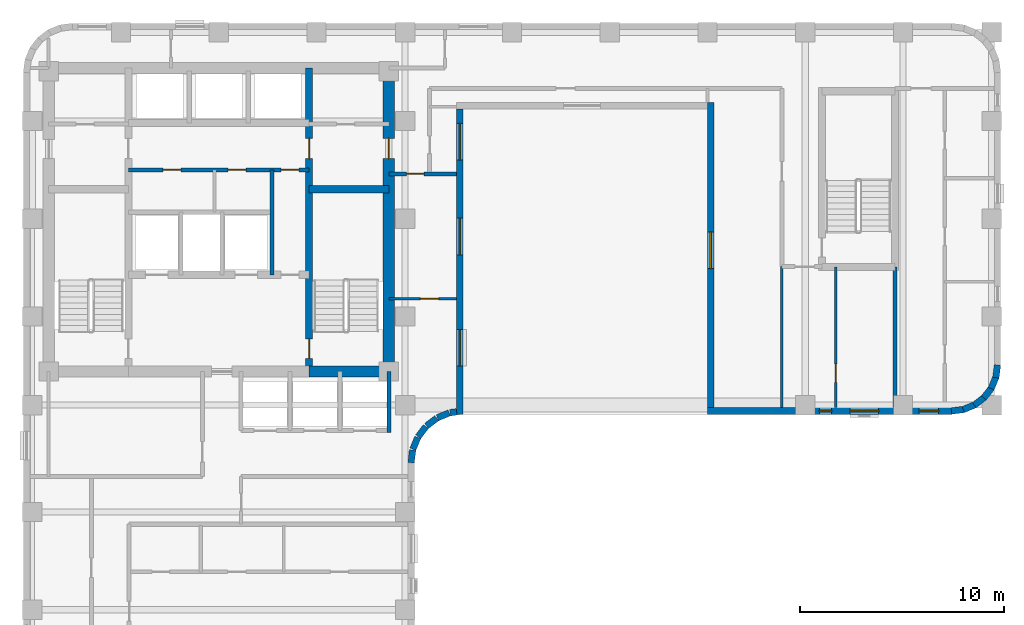
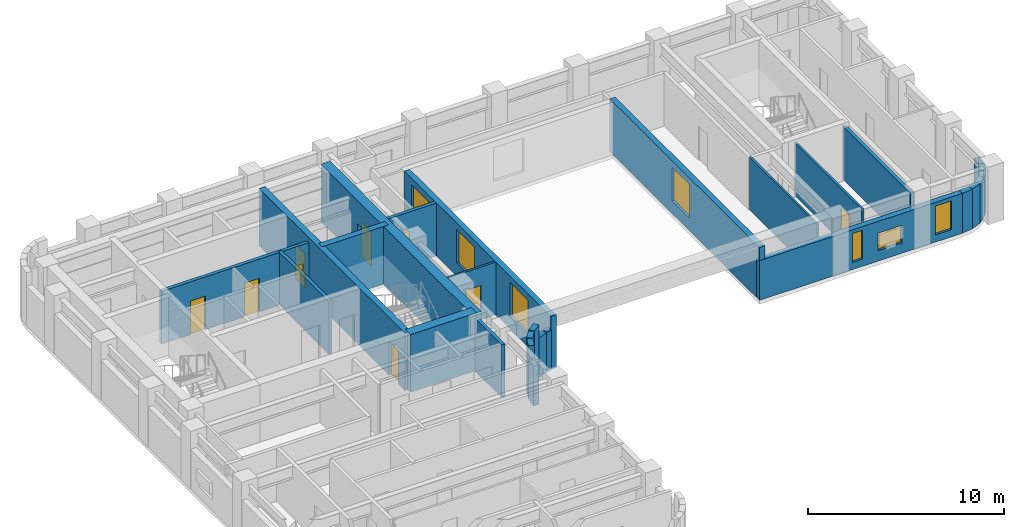
# One storey, part 4 of 9: 27 walls, 9 doors, 7 windows, 16 openings.
"""IFC4 building model written with IfcOpenShell, lengths in metres."""

from ifc_helpers import new_model, si_unit, direction, frame, frame_2d, origin, place, context, subcontext, project, spatial, rectangle, extrude, material, layer, layer_set, type_object, element, fill, save


model = new_model("IFC4")

# Units and contexts
model_context = context("Model", 3, precision=1e-05, world=origin(), true_north=direction((0.0, 1.0)))
body_context = subcontext(model_context, "Body", "Model", "MODEL_VIEW")
ifc_project = project(units=[si_unit("LENGTHUNIT", "METRE"), si_unit("AREAUNIT", "SQUARE_METRE"), si_unit("VOLUMEUNIT", "CUBIC_METRE"), si_unit("PLANEANGLEUNIT", "RADIAN"), si_unit("MASSUNIT", "GRAM", prefix="KILO")], contexts=[model_context])

# Site, building, storey
site_placement = place(None, origin())
site = spatial("IfcSite", under=ifc_project, at=site_placement, CompositionType="ELEMENT")
building_placement = place(site_placement, origin())
building = spatial("IfcBuilding", under=site, at=building_placement, Name="Orvandelia Arch Residences", CompositionType="ELEMENT")
storey_placement = place(building_placement, frame((0.0, 0.0, 190.0)))
storey = spatial("IfcBuildingStorey", under=building, at=storey_placement, Name="L50", CompositionType="ELEMENT", Elevation=190.0)

# Wall, openings, doors
ifc_material_1 = material(Name="Concrete C50/60", Category="concrete")
ifc_layer_1 = layer(ifc_material_1, 0.35009765625, Name="Concrete C50/60", Category="concrete")
ifc_layer_set_1 = layer_set([ifc_layer_1], Name="Concrete C50/60")
wall_type_1 = type_object("IfcWallType", Name="WL-CORE-350", PredefinedType="SHEAR", material=ifc_layer_set_1)
wall_1_placement = place(storey_placement, frame((18.840087890625, 30.89990234375, 0.0), z_axis=(0.0, 0.0, 1.0), x_axis=(0.0, 1.0, 0.0)))
wall_1 = element("IfcWall", 1, at=wall_1_placement, inside=storey, type_object=wall_type_1, Name="Core Shear Wall L50-WEB2", PredefinedType="SHEAR", context=body_context, shape_type="SweptSolid", body=[
    extrude(rectangle(XDim=14.900146484375, YDim=0.35009765625, at=frame_2d((7.4501953125, 0.0))), origin(), (0.0, 0.0, 1.0), 3.60009765625),
])
opening_1_placement = place(wall_1_placement, frame((0.64990234375, 0.0, 0.0)))
opening_1 = element("IfcOpeningElement", 2, at=opening_1_placement, cuts=wall_1, Name="Opening D7", PredefinedType="OPENING", context=body_context, shape_type="SweptSolid", body=[
    extrude(rectangle(XDim=0.949951171875, YDim=2.10009765625, at=frame_2d((0.47509765625, 1.050048828125))), frame((0.0, 0.18505859375, 0.0), z_axis=(0.0, -1.0, 0.0), x_axis=(1.0, 0.0, 0.0)), (0.0, 0.0, 1.0), 0.3701171875),
])
opening_2_placement = place(wall_1_placement, frame((10.449951171875, 0.0, 0.0)))
opening_2 = element("IfcOpeningElement", 3, at=opening_2_placement, cuts=wall_1, Name="Opening D6", PredefinedType="OPENING", context=body_context, shape_type="SweptSolid", body=[
    extrude(rectangle(XDim=1.0, YDim=2.14990234375, at=frame_2d((0.5, 1.074951171875))), frame((0.0, 0.18505859375, 0.0), z_axis=(0.0, -1.0, 0.0), x_axis=(1.0, 0.0, 0.0)), (0.0, 0.0, 1.0), 0.3701171875),
])
ifc_material_2 = material(Name="Smokeproof Painted Steel Fire Door", Category="steel")
door_type_1 = type_object("IfcDoorType", Name="DR-FD60-1000", OperationType="NOTDEFINED", PredefinedType="DOOR", material=ifc_material_2)
door_1_placement = place(opening_2_placement, origin())
door_1 = element("IfcDoor", 4, at=door_1_placement, inside=storey, type_object=door_type_1, Name="High-Rise Lift Hall East Vestibule Door L50", OperationType="SINGLE_SWING_RIGHT", OverallHeight=2.14990234375, OverallWidth=1.0, PredefinedType="DOOR", context=body_context, shape_type="SweptSolid", body=[
    extrude(rectangle(XDim=1.0, YDim=2.14990234375, at=frame_2d((0.5, 1.074951171875))), frame((0.0, 0.02490234375, 0.0), z_axis=(0.0, -1.0, 0.0), x_axis=(1.0, 0.0, 0.0)), (0.0, 0.0, 1.0), 0.050048828125),
])
fill(opening_2, door_1)
ifc_material_3 = material(Name="Pressurised Stairwell Fire Door")
door_type_2 = type_object("IfcDoorType", Name="DR-STAIR-950", OperationType="NOTDEFINED", PredefinedType="DOOR", material=ifc_material_3)
door_2_placement = place(opening_1_placement, origin())
door_2 = element("IfcDoor", 5, at=door_2_placement, inside=storey, type_object=door_type_2, Name="Stairwell ST-2 Fire Door L50", OperationType="SINGLE_SWING_RIGHT", OverallHeight=2.10009765625, OverallWidth=0.949951171875, PredefinedType="DOOR", context=body_context, shape_type="SweptSolid", body=[
    extrude(rectangle(XDim=0.949951171875, YDim=2.10009765625, at=frame_2d((0.47509765625, 1.050048828125))), frame((0.0, 0.02490234375, 0.0), z_axis=(0.0, -1.0, 0.0), x_axis=(1.0, 0.0, 0.0)), (0.0, 0.0, 1.0), 0.050048828125),
])
fill(opening_1, door_2)

# Wall
wall_2_placement = place(storey_placement, frame((18.840087890625, 39.85009765625, 0.0), z_axis=(0.0, 0.0, 1.0), x_axis=(1.0, 0.0, 0.0)))
element("IfcWall", 6, at=wall_2_placement, inside=storey, type_object=wall_type_1, Name="Core Shear Wall L50-HZ2", PredefinedType="SHEAR", context=body_context, shape_type="SweptSolid", body=[
    extrude(rectangle(XDim=3.909912109375, YDim=0.35009765625, at=frame_2d((1.955078125, 0.0))), origin(), (0.0, 0.0, 1.0), 3.60009765625),
])

# Wall, opening, door
ifc_material_4 = material(Name="Concrete C60/75", Category="concrete")
ifc_layer_2 = layer(ifc_material_4, 0.550048828125, Name="Concrete C60/75", Category="concrete")
ifc_layer_set_2 = layer_set([ifc_layer_2], Name="Concrete C60/75")
wall_type_2 = type_object("IfcWallType", Name="WL-CORE-550", PredefinedType="SHEAR", material=ifc_layer_set_2)
wall_3_placement = place(storey_placement, frame((22.75, 30.625, 0.0), z_axis=(0.0, 0.0, 1.0), x_axis=(0.0, 1.0, 0.0)))
wall_3 = element("IfcWall", 7, at=wall_3_placement, inside=storey, type_object=wall_type_2, Name="Core Shear Wall L50-E", PredefinedType="SHEAR", context=body_context, shape_type="SweptSolid", body=[
    extrude(rectangle(XDim=15.449951171875, YDim=0.550048828125, at=frame_2d((7.72509765625, 0.0))), origin(), (0.0, 0.0, 1.0), 3.60009765625),
])
opening_3_placement = place(wall_3_placement, frame((10.72509765625, 0.0, 0.0)))
opening_3 = element("IfcOpeningElement", 8, at=opening_3_placement, cuts=wall_3, Name="Opening D6", PredefinedType="OPENING", context=body_context, shape_type="SweptSolid", body=[
    extrude(rectangle(XDim=1.0, YDim=2.14990234375, at=frame_2d((0.5, 1.074951171875))), frame((0.0, 0.28515625, 0.0), z_axis=(0.0, -1.0, 0.0), x_axis=(1.0, 0.0, 0.0)), (0.0, 0.0, 1.0), 0.570068359375),
])
door_3_placement = place(opening_3_placement, origin())
door_3 = element("IfcDoor", 9, at=door_3_placement, inside=storey, type_object=door_type_1, Name="Core East Corridor Link Door L50", OperationType="SINGLE_SWING_LEFT", OverallHeight=2.14990234375, OverallWidth=1.0, PredefinedType="DOOR", context=body_context, shape_type="SweptSolid", body=[
    extrude(rectangle(XDim=1.0, YDim=2.14990234375, at=frame_2d((0.5, 1.074951171875))), frame((0.0, 0.02490234375, 0.0), z_axis=(0.0, -1.0, 0.0), x_axis=(1.0, 0.0, 0.0)), (0.0, 0.0, 1.0), 0.050048828125),
])
fill(opening_3, door_3)

# Wall
wall_4_placement = place(storey_placement, frame((18.840087890625, 30.89990234375, 0.0), z_axis=(0.0, 0.0, 1.0), x_axis=(1.0, 0.0, 0.0)))
element("IfcWall", 10, at=wall_4_placement, inside=storey, type_object=wall_type_2, Name="Core Shear Wall L50-SE", PredefinedType="SHEAR", context=body_context, shape_type="SweptSolid", body=[
    extrude(rectangle(XDim=3.909912109375, YDim=0.550048828125, at=frame_2d((1.955078125, 0.0))), origin(), (0.0, 0.0, 1.0), 3.60009765625),
])

# Wall, opening, door
ifc_material_5 = material(Name="Fire-Rated Corridor Partition")
ifc_layer_3 = layer(ifc_material_5, 0.199951171875, Name="Fire-Rated Corridor Partition")
ifc_layer_set_3 = layer_set([ifc_layer_3], Name="Fire-Rated Corridor Partition")
wall_type_3 = type_object("IfcWallType", Name="WL-CORR-200", PredefinedType="PARTITIONING", material=ifc_layer_set_3)
wall_5_placement = place(storey_placement, frame((22.75, 40.60009765625, 0.0), z_axis=(0.0, 0.0, 1.0), x_axis=(1.0, 0.0, 0.0)))
wall_5 = element("IfcWall", 11, at=wall_5_placement, inside=storey, type_object=wall_type_3, Name="Interior Partition Wall WL-L50-ENP-LS", PredefinedType="PARTITIONING", context=body_context, shape_type="SweptSolid", body=[
    extrude(rectangle(XDim=3.330078125, YDim=0.199951171875, at=frame_2d((1.6650390625, 0.0))), origin(), (0.0, 0.0, 1.0), 3.300048828125),
])
opening_4_placement = place(wall_5_placement, frame((0.8798828125, 0.0, 0.0)))
opening_4 = element("IfcOpeningElement", 12, at=opening_4_placement, cuts=wall_5, Name="Opening D4", PredefinedType="OPENING", context=body_context, shape_type="SweptSolid", body=[
    extrude(rectangle(XDim=0.860107421875, YDim=2.10009765625, at=frame_2d((0.43017578125, 1.050048828125))), frame((0.0, 0.10986328125, 0.0), z_axis=(0.0, -1.0, 0.0), x_axis=(1.0, 0.0, 0.0)), (0.0, 0.0, 1.0), 0.219970703125),
])
ifc_material_6 = material(Name="Moisture-Sealed Timber Bathroom Door", Category="wood")
door_type_3 = type_object("IfcDoorType", Name="DR-WET-900", OperationType="NOTDEFINED", PredefinedType="DOOR", material=ifc_material_6)
door_4_placement = place(opening_4_placement, origin())
door_4 = element("IfcDoor", 13, at=door_4_placement, inside=storey, type_object=door_type_3, Name="DR-L50-VPWL2", OperationType="SINGLE_SWING_RIGHT", OverallHeight=2.10009765625, OverallWidth=0.860107421875, PredefinedType="DOOR", context=body_context, shape_type="SweptSolid", body=[
    extrude(rectangle(XDim=0.860107421875, YDim=2.10009765625, at=frame_2d((0.43017578125, 1.050048828125))), frame((0.0, 0.02490234375, 0.0), z_axis=(0.0, -1.0, 0.0), x_axis=(1.0, 0.0, 0.0)), (0.0, 0.0, 1.0), 0.050048828125),
])
fill(opening_4, door_4)

# Walls
ifc_material_7 = material(Name="Concrete C40/50", Category="concrete")
ifc_layer_4 = layer(ifc_material_7, 0.199951171875, Name="Concrete C40/50", Category="concrete")
ifc_layer_set_4 = layer_set([ifc_layer_4], Name="Concrete C40/50")
wall_type_4 = type_object("IfcWallType", Name="WL-DEM-200", PredefinedType="SOLIDWALL", material=ifc_layer_set_4)
wall_6_placement = place(storey_placement, frame((47.60009765625, 29.1201171875, 0.0), z_axis=(0.0, 0.0, 1.0), x_axis=(0.0, 1.0, 0.0)))
element("IfcWall", 14, at=wall_6_placement, inside=storey, type_object=wall_type_4, Name="Interior Partition Wall WL-L50-VPS3-E", PredefinedType="SOLIDWALL", context=body_context, shape_type="SweptSolid", body=[
    extrude(rectangle(XDim=6.919921875, YDim=0.199951171875, at=frame_2d((3.4599609375, 0.0))), origin(), (0.0, 0.0, 1.0), 3.300048828125),
])
ifc_material_8 = material(Name="Precast concrete C40/50", Category="concrete")
ifc_layer_5 = layer(ifc_material_8, 0.320068359375, Name="Precast concrete C40/50", Category="concrete")
ifc_layer_set_5 = layer_set([ifc_layer_5], Name="Precast concrete C40/50")
wall_type_5 = type_object("IfcWallType", Name="WL-EXT-STONE-320", PredefinedType="STANDARD", material=ifc_layer_set_5)
wall_7_placement = place(storey_placement, frame((52.641357421875, 31.220947265625, 0.0), z_axis=(0.0, 0.0, 1.0), x_axis=(-0.130504898859, -0.991447664465, 0.0)))
element("IfcWall", 15, at=wall_7_placement, inside=storey, type_object=wall_type_5, Name="Coral-Limestone Precast Facade Wall L50-015", PredefinedType="STANDARD", context=body_context, shape_type="SweptSolid", body=[
    extrude(rectangle(XDim=0.626708984375, YDim=0.320068359375, at=frame_2d((0.3134765625, 0.0))), origin(), (0.0, 0.0, 1.0), 2.47998046875),
])
wall_8_placement = place(storey_placement, frame((52.5703125, 30.639892578125, 0.0), z_axis=(0.0, 0.0, 1.0), x_axis=(-0.382455093999, -0.923974080304, 0.0)))
element("IfcWall", 16, at=wall_8_placement, inside=storey, type_object=wall_type_5, Name="Coral-Limestone Precast Facade Wall L50-016", PredefinedType="STANDARD", context=body_context, shape_type="SweptSolid", body=[
    extrude(rectangle(XDim=0.626220703125, YDim=0.320068359375, at=frame_2d((0.31298828125, 0.0))), origin(), (0.0, 0.0, 1.0), 2.47998046875),
])
wall_9_placement = place(storey_placement, frame((52.3515625, 30.097412109375, 0.0), z_axis=(0.0, 0.0, 1.0), x_axis=(-0.608693302629, -0.793405610854, 0.0)))
element("IfcWall", 17, at=wall_9_placement, inside=storey, type_object=wall_type_5, Name="Coral-Limestone Precast Facade Wall L50-017", PredefinedType="STANDARD", context=body_context, shape_type="SweptSolid", body=[
    extrude(rectangle(XDim=0.62646484375, YDim=0.320068359375, at=frame_2d((0.313232421875, 0.0))), origin(), (0.0, 0.0, 1.0), 2.47998046875),
])
wall_10_placement = place(storey_placement, frame((51.999755859375, 29.6298828125, 0.0), z_axis=(0.0, 0.0, 1.0), x_axis=(-0.7932174212, -0.608938521285, 0.0)))
element("IfcWall", 18, at=wall_10_placement, inside=storey, type_object=wall_type_5, Name="Coral-Limestone Precast Facade Wall L50-018", PredefinedType="STANDARD", context=body_context, shape_type="SweptSolid", body=[
    extrude(rectangle(XDim=0.626708984375, YDim=0.320068359375, at=frame_2d((0.3134765625, 0.0))), origin(), (0.0, 0.0, 1.0), 2.47998046875),
])
for number, where, z_axis, x_axis, name in (
    (19, (51.538818359375, 29.269287109375, 0.0), (0.0, 0.0, 1.0), (-0.92389335771, -0.382650053678, 0.0), "Coral-Limestone Precast Facade Wall L50-019"),
    (20, (51.000244140625, 29.040283203125, 0.0), (0.0, 0.0, 1.0), (-0.9914410257, -0.130555323746, 0.0), "Coral-Limestone Precast Facade Wall L50-020"),
):
    element("IfcWall", number, at=place(storey_placement, frame(where, z_axis=z_axis, x_axis=x_axis)), inside=storey, type_object=wall_type_5, Name=name, PredefinedType="STANDARD", context=body_context, shape_type="SweptSolid", body=[
        extrude(rectangle(XDim=0.62646484375, YDim=0.320068359375, at=frame_2d((0.313232421875, 0.0))), origin(), (0.0, 0.0, 1.0), 2.47998046875),
    ])

# Wall, openings, windows
wall_11_placement = place(storey_placement, frame((50.39990234375, 28.9599609375, 0.0), z_axis=(0.0, 0.0, 1.0), x_axis=(-1.0, 0.0, 0.0)))
wall_11 = element("IfcWall", 21, at=wall_11_placement, inside=storey, type_object=wall_type_5, Name="Coral-Limestone Precast Facade Wall L50-021", PredefinedType="STANDARD", context=body_context, shape_type="SweptSolid", body=[
    extrude(rectangle(XDim=12.0, YDim=0.320068359375, at=frame_2d((6.0, 0.0))), origin(), (0.0, 0.0, 1.0), 2.47998046875),
])
opening_5_placement = place(wall_11_placement, frame((0.656005859375, 0.0, 0.449951171875)))
opening_5 = element("IfcOpeningElement", 22, at=opening_5_placement, cuts=wall_11, Name="Opening W4", PredefinedType="OPENING", context=body_context, shape_type="SweptSolid", body=[
    extrude(rectangle(XDim=0.949951171875, YDim=1.800048828125, at=frame_2d((0.47509765625, 0.89990234375))), frame((0.0, 0.169921875, 0.0), z_axis=(0.0, -1.0, 0.0), x_axis=(1.0, 0.0, 0.0)), (0.0, 0.0, 1.0), 0.340087890625),
])
opening_6_placement = place(wall_11_placement, frame((5.902587890625, 0.0, 0.449951171875)))
opening_6 = element("IfcOpeningElement", 23, at=opening_6_placement, cuts=wall_11, Name="Opening W12", PredefinedType="OPENING", context=body_context, shape_type="SweptSolid", body=[
    extrude(rectangle(XDim=0.60009765625, YDim=1.800048828125, at=frame_2d((0.300048828125, 0.89990234375))), frame((0.0, 0.169921875, 0.0), z_axis=(0.0, -1.0, 0.0), x_axis=(1.0, 0.0, 0.0)), (0.0, 0.0, 1.0), 0.340087890625),
])
opening_7_placement = place(wall_11_placement, frame((3.597412109375, 0.0, 0.64990234375)))
opening_7 = element("IfcOpeningElement", 24, at=opening_7_placement, cuts=wall_11, Name="Opening W10", PredefinedType="OPENING", context=body_context, shape_type="SweptSolid", body=[
    extrude(rectangle(XDim=1.39990234375, YDim=1.10009765625, at=frame_2d((0.699951171875, 0.550048828125))), frame((0.0, 0.169921875, 0.0), z_axis=(0.0, -1.0, 0.0), x_axis=(1.0, 0.0, 0.0)), (0.0, 0.0, 1.0), 0.340087890625),
])
ifc_material_9 = material(Name="Tempered Low-E Insulated Glazing", Category="glass")
window_type_1 = type_object("IfcWindowType", Name="WIN-CLR-1400x1100", PartitioningType="SINGLE_PANEL", PredefinedType="WINDOW", material=ifc_material_9)
window_1_placement = place(opening_7_placement, origin())
window_1 = element("IfcWindow", 25, at=window_1_placement, inside=storey, type_object=window_type_1, Name="Recessed Punched Window L50-009", OverallHeight=1.10009765625, OverallWidth=1.39990234375, PartitioningType="SINGLE_PANEL", PredefinedType="WINDOW", context=body_context, shape_type="SweptSolid", body=[
    extrude(rectangle(XDim=1.39990234375, YDim=1.10009765625, at=frame_2d((0.699951171875, 0.550048828125))), frame((0.0, 0.030029296875, 0.0), z_axis=(0.0, -1.0, 0.0), x_axis=(1.0, 0.0, 0.0)), (0.0, 0.0, 1.0), 0.06005859375),
])
fill(opening_7, window_1)
window_type_2 = type_object("IfcWindowType", Name="WIN-LAN-0600x1800", PartitioningType="SINGLE_PANEL", PredefinedType="WINDOW", material=ifc_material_9)
window_2_placement = place(opening_6_placement, origin())
window_2 = element("IfcWindow", 26, at=window_2_placement, inside=storey, type_object=window_type_2, Name="Recessed Punched Window L50-008", OverallHeight=1.800048828125, OverallWidth=0.60009765625, PartitioningType="SINGLE_PANEL", PredefinedType="WINDOW", context=body_context, shape_type="SweptSolid", body=[
    extrude(rectangle(XDim=0.60009765625, YDim=1.800048828125, at=frame_2d((0.300048828125, 0.89990234375))), frame((0.0, 0.030029296875, 0.0), z_axis=(0.0, -1.0, 0.0), x_axis=(1.0, 0.0, 0.0)), (0.0, 0.0, 1.0), 0.06005859375),
])
fill(opening_6, window_2)
window_type_3 = type_object("IfcWindowType", Name="WIN-RES-0950x1800", PartitioningType="SINGLE_PANEL", PredefinedType="WINDOW", material=ifc_material_9)
window_3_placement = place(opening_5_placement, origin())
window_3 = element("IfcWindow", 27, at=window_3_placement, inside=storey, type_object=window_type_3, Name="Recessed Punched Window L50-007", OverallHeight=1.800048828125, OverallWidth=0.949951171875, PartitioningType="SINGLE_PANEL", PredefinedType="WINDOW", context=body_context, shape_type="SweptSolid", body=[
    extrude(rectangle(XDim=0.949951171875, YDim=1.800048828125, at=frame_2d((0.47509765625, 0.89990234375))), frame((0.0, 0.030029296875, 0.0), z_axis=(0.0, -1.0, 0.0), x_axis=(1.0, 0.0, 0.0)), (0.0, 0.0, 1.0), 0.06005859375),
])
fill(opening_5, window_3)

# Wall, opening, window
wall_12_placement = place(storey_placement, frame((38.56005859375, 28.800048828125, 0.0), z_axis=(0.0, 0.0, 1.0), x_axis=(0.0, 1.0, 0.0)))
wall_12 = element("IfcWall", 28, at=wall_12_placement, inside=storey, type_object=wall_type_5, Name="Coral-Limestone Precast Facade Wall L50-022", PredefinedType="STANDARD", context=body_context, shape_type="SweptSolid", body=[
    extrude(rectangle(XDim=15.320068359375, YDim=0.320068359375, at=frame_2d((7.66015625, 0.0))), origin(), (0.0, 0.0, 1.0), 3.300048828125),
])
opening_8_placement = place(wall_12_placement, frame((7.14990234375, 0.0, 0.800048828125)))
opening_8 = element("IfcOpeningElement", 29, at=opening_8_placement, cuts=wall_12, Name="Opening W1", PredefinedType="OPENING", context=body_context, shape_type="SweptSolid", body=[
    extrude(rectangle(XDim=1.800048828125, YDim=2.10009765625, at=frame_2d((0.89990234375, 1.050048828125))), frame((0.0, 0.169921875, 0.0), z_axis=(0.0, -1.0, 0.0), x_axis=(1.0, 0.0, 0.0)), (0.0, 0.0, 1.0), 0.340087890625),
])
window_type_4 = type_object("IfcWindowType", Name="WIN-RES-1800x2100", PartitioningType="SINGLE_PANEL", PredefinedType="WINDOW", material=ifc_material_9)
window_4_placement = place(opening_8_placement, origin())
window_4 = element("IfcWindow", 30, at=window_4_placement, inside=storey, type_object=window_type_4, Name="Recessed Punched Window L50-010", OverallHeight=2.10009765625, OverallWidth=1.800048828125, PartitioningType="SINGLE_PANEL", PredefinedType="WINDOW", context=body_context, shape_type="SweptSolid", body=[
    extrude(rectangle(XDim=1.800048828125, YDim=2.10009765625, at=frame_2d((0.89990234375, 1.050048828125))), frame((0.0, 0.030029296875, 0.0), z_axis=(0.0, -1.0, 0.0), x_axis=(1.0, 0.0, 0.0)), (0.0, 0.0, 1.0), 0.06005859375),
])
fill(opening_8, window_4)

# Wall, openings, windows
wall_13_placement = place(storey_placement, frame((26.239990234375, 43.800048828125, 0.0), z_axis=(0.0, 0.0, 1.0), x_axis=(0.0, -1.0, 0.0)))
wall_13 = element("IfcWall", 31, at=wall_13_placement, inside=storey, type_object=wall_type_5, Name="Coral-Limestone Precast Facade Wall L50-024", PredefinedType="STANDARD", context=body_context, shape_type="SweptSolid", body=[
    extrude(rectangle(XDim=15.0, YDim=0.320068359375, at=frame_2d((7.5, 0.0))), origin(), (0.0, 0.0, 1.0), 3.300048828125),
])
opening_9_placement = place(wall_13_placement, frame((10.840087890625, 0.0, 0.800048828125)))
opening_9 = element("IfcOpeningElement", 32, at=opening_9_placement, cuts=wall_13, Name="Opening W1", PredefinedType="OPENING", context=body_context, shape_type="SweptSolid", body=[
    extrude(rectangle(XDim=1.800048828125, YDim=2.10009765625, at=frame_2d((0.89990234375, 1.050048828125))), frame((0.0, 0.169921875, 0.0), z_axis=(0.0, -1.0, 0.0), x_axis=(1.0, 0.0, 0.0)), (0.0, 0.0, 1.0), 0.340087890625),
])
opening_10_placement = place(wall_13_placement, frame((5.3701171875, 0.0, 0.800048828125)))
opening_10 = element("IfcOpeningElement", 33, at=opening_10_placement, cuts=wall_13, Name="Opening W1", PredefinedType="OPENING", context=body_context, shape_type="SweptSolid", body=[
    extrude(rectangle(XDim=1.800048828125, YDim=2.10009765625, at=frame_2d((0.89990234375, 1.050048828125))), frame((0.0, 0.169921875, 0.0), z_axis=(0.0, -1.0, 0.0), x_axis=(1.0, 0.0, 0.0)), (0.0, 0.0, 1.0), 0.340087890625),
])
opening_11_placement = place(wall_13_placement, frame((0.719970703125, 0.0, 0.800048828125)))
opening_11 = element("IfcOpeningElement", 34, at=opening_11_placement, cuts=wall_13, Name="Opening W1", PredefinedType="OPENING", context=body_context, shape_type="SweptSolid", body=[
    extrude(rectangle(XDim=1.800048828125, YDim=2.10009765625, at=frame_2d((0.89990234375, 1.050048828125))), frame((0.0, 0.169921875, 0.0), z_axis=(0.0, -1.0, 0.0), x_axis=(1.0, 0.0, 0.0)), (0.0, 0.0, 1.0), 0.340087890625),
])
window_5_placement = place(opening_9_placement, origin())
window_5 = element("IfcWindow", 35, at=window_5_placement, inside=storey, type_object=window_type_4, Name="Recessed Punched Window L50-012", OverallHeight=2.10009765625, OverallWidth=1.800048828125, PartitioningType="SINGLE_PANEL", PredefinedType="WINDOW", context=body_context, shape_type="SweptSolid", body=[
    extrude(rectangle(XDim=1.800048828125, YDim=2.10009765625, at=frame_2d((0.89990234375, 1.050048828125))), frame((0.0, 0.030029296875, 0.0), z_axis=(0.0, -1.0, 0.0), x_axis=(1.0, 0.0, 0.0)), (0.0, 0.0, 1.0), 0.06005859375),
])
fill(opening_9, window_5)
window_6_placement = place(opening_10_placement, origin())
window_6 = element("IfcWindow", 36, at=window_6_placement, inside=storey, type_object=window_type_4, Name="Recessed Punched Window L50-013", OverallHeight=2.10009765625, OverallWidth=1.800048828125, PartitioningType="SINGLE_PANEL", PredefinedType="WINDOW", context=body_context, shape_type="SweptSolid", body=[
    extrude(rectangle(XDim=1.800048828125, YDim=2.10009765625, at=frame_2d((0.89990234375, 1.050048828125))), frame((0.0, 0.030029296875, 0.0), z_axis=(0.0, -1.0, 0.0), x_axis=(1.0, 0.0, 0.0)), (0.0, 0.0, 1.0), 0.06005859375),
])
fill(opening_10, window_6)
window_7_placement = place(opening_11_placement, origin())
window_7 = element("IfcWindow", 37, at=window_7_placement, inside=storey, type_object=window_type_4, Name="Recessed Punched Window L50-014", OverallHeight=2.10009765625, OverallWidth=1.800048828125, PartitioningType="SINGLE_PANEL", PredefinedType="WINDOW", context=body_context, shape_type="SweptSolid", body=[
    extrude(rectangle(XDim=1.800048828125, YDim=2.10009765625, at=frame_2d((0.89990234375, 1.050048828125))), frame((0.0, 0.030029296875, 0.0), z_axis=(0.0, -1.0, 0.0), x_axis=(1.0, 0.0, 0.0)), (0.0, 0.0, 1.0), 0.06005859375),
])
fill(opening_11, window_7)

# Walls
wall_14_placement = place(storey_placement, frame((26.081787109375, 28.91943359375, 0.0), z_axis=(0.0, 0.0, 1.0), x_axis=(-0.991512688813, -0.130009953168, 0.0)))
element("IfcWall", 38, at=wall_14_placement, inside=storey, type_object=wall_type_5, Name="Coral-Limestone Precast Facade Wall L50-025", PredefinedType="STANDARD", context=body_context, shape_type="SweptSolid", body=[
    extrude(rectangle(XDim=0.32666015625, YDim=0.320068359375, at=frame_2d((0.163330078125, 0.0))), origin(), (0.0, 0.0, 1.0), 2.47998046875),
])
wall_15_placement = place(storey_placement, frame((25.717529296875, 28.865966796875, 0.0), z_axis=(0.0, 0.0, 1.0), x_axis=(-0.923836271867, -0.382787856107, 0.0)))
element("IfcWall", 39, at=wall_15_placement, inside=storey, type_object=wall_type_5, Name="Coral-Limestone Precast Facade Wall L50-026", PredefinedType="STANDARD", context=body_context, shape_type="SweptSolid", body=[
    extrude(rectangle(XDim=0.626220703125, YDim=0.320068359375, at=frame_2d((0.31298828125, 0.0))), origin(), (0.0, 0.0, 1.0), 2.47998046875),
])
for number, where, z_axis, x_axis, name in (
    (40, (25.1025390625, 28.60546875, 0.0), (0.0, 0.0, 1.0), (-0.793405610854, -0.608693302629, 0.0), "Coral-Limestone Precast Facade Wall L50-027"),
    (41, (24.575927734375, 28.194580078125, 0.0), (0.0, 0.0, 1.0), (-0.608693302629, -0.793405610854, 0.0), "Coral-Limestone Precast Facade Wall L50-028"),
):
    element("IfcWall", number, at=place(storey_placement, frame(where, z_axis=z_axis, x_axis=x_axis)), inside=storey, type_object=wall_type_5, Name=name, PredefinedType="STANDARD", context=body_context, shape_type="SweptSolid", body=[
        extrude(rectangle(XDim=0.62646484375, YDim=0.320068359375, at=frame_2d((0.313232421875, 0.0))), origin(), (0.0, 0.0, 1.0), 3.300048828125),
    ])
wall_16_placement = place(storey_placement, frame((24.173583984375, 27.6611328125, 0.0), z_axis=(0.0, 0.0, 1.0), x_axis=(-0.382455093999, -0.923974080304, 0.0)))
element("IfcWall", 42, at=wall_16_placement, inside=storey, type_object=wall_type_5, Name="Coral-Limestone Precast Facade Wall L50-029", PredefinedType="STANDARD", context=body_context, shape_type="SweptSolid", body=[
    extrude(rectangle(XDim=0.626220703125, YDim=0.320068359375, at=frame_2d((0.31298828125, 0.0))), origin(), (0.0, 0.0, 1.0), 3.300048828125),
])
wall_17_placement = place(storey_placement, frame((23.923095703125, 27.0419921875, 0.0), z_axis=(0.0, 0.0, 1.0), x_axis=(-0.130555323746, -0.9914410257, 0.0)))
element("IfcWall", 43, at=wall_17_placement, inside=storey, type_object=wall_type_5, Name="Coral-Limestone Precast Facade Wall L50-030", PredefinedType="STANDARD", context=body_context, shape_type="SweptSolid", body=[
    extrude(rectangle(XDim=0.62646484375, YDim=0.320068359375, at=frame_2d((0.313232421875, 0.0))), origin(), (0.0, 0.0, 1.0), 2.47998046875),
])

# Wall, opening, door
ifc_material_10 = material(Name="Lightweight Gypsum Stud Partition")
ifc_layer_6 = layer(ifc_material_10, 0.1201171875, Name="Lightweight Gypsum Stud Partition")
ifc_layer_set_6 = layer_set([ifc_layer_6], Name="Lightweight Gypsum Stud Partition")
wall_type_6 = type_object("IfcWallType", Name="WL-PART-120", PredefinedType="PARTITIONING", material=ifc_layer_set_6)
wall_18_placement = place(storey_placement, frame((22.75, 34.47998046875, 0.0), z_axis=(0.0, 0.0, 1.0), x_axis=(1.0, 0.0, 0.0)))
wall_18 = element("IfcWall", 44, at=wall_18_placement, inside=storey, type_object=wall_type_6, Name="Interior Partition Wall WL-L50-VPW-M", PredefinedType="PARTITIONING", context=body_context, shape_type="SweptSolid", body=[
    extrude(rectangle(XDim=3.330078125, YDim=0.1201171875, at=frame_2d((1.6650390625, 0.0))), origin(), (0.0, 0.0, 1.0), 3.300048828125),
])
opening_12_placement = place(wall_18_placement, frame((1.550048828125, 0.0, 0.0)))
opening_12 = element("IfcOpeningElement", 45, at=opening_12_placement, cuts=wall_18, Name="Opening D3", PredefinedType="OPENING", context=body_context, shape_type="SweptSolid", body=[
    extrude(rectangle(XDim=0.89990234375, YDim=2.14990234375, at=frame_2d((0.449951171875, 1.074951171875))), frame((0.0, 0.070068359375, 0.0), z_axis=(0.0, -1.0, 0.0), x_axis=(1.0, 0.0, 0.0)), (0.0, 0.0, 1.0), 0.14013671875),
])
ifc_material_11 = material(Name="Engineered Timber Flush Door", Category="wood")
door_type_4 = type_object("IfcDoorType", Name="DR-INT-900", OperationType="NOTDEFINED", PredefinedType="DOOR", material=ifc_material_11)
door_5_placement = place(opening_12_placement, origin())
door_5 = element("IfcDoor", 46, at=door_5_placement, inside=storey, type_object=door_type_4, Name="DR-L50-VPWL1", OperationType="SINGLE_SWING_LEFT", OverallHeight=2.14990234375, OverallWidth=0.89990234375, PredefinedType="DOOR", context=body_context, shape_type="SweptSolid", body=[
    extrude(rectangle(XDim=0.89990234375, YDim=2.14990234375, at=frame_2d((0.449951171875, 1.074951171875))), frame((0.0, 0.02490234375, 0.0), z_axis=(0.0, -1.0, 0.0), x_axis=(1.0, 0.0, 0.0)), (0.0, 0.0, 1.0), 0.050048828125),
])
fill(opening_12, door_5)

wall_19_placement = place(storey_placement, frame((44.699951171875, 29.1201171875, 0.0), z_axis=(0.0, 0.0, 1.0), x_axis=(0.0, 1.0, 0.0)))
wall_19 = element("IfcWall", 47, at=wall_19_placement, inside=storey, type_object=wall_type_6, Name="Interior Partition Wall WL-L50-VPS3-M", PredefinedType="PARTITIONING", context=body_context, shape_type="SweptSolid", body=[
    extrude(rectangle(XDim=6.919921875, YDim=0.1201171875, at=frame_2d((3.4599609375, 0.0))), origin(), (0.0, 0.0, 1.0), 3.300048828125),
])
opening_13_placement = place(wall_19_placement, frame((1.239990234375, 0.0, 0.0)))
opening_13 = element("IfcOpeningElement", 48, at=opening_13_placement, cuts=wall_19, Name="Opening D3", PredefinedType="OPENING", context=body_context, shape_type="SweptSolid", body=[
    extrude(rectangle(XDim=0.89990234375, YDim=2.14990234375, at=frame_2d((0.449951171875, 1.074951171875))), frame((0.0, 0.070068359375, 0.0), z_axis=(0.0, -1.0, 0.0), x_axis=(1.0, 0.0, 0.0)), (0.0, 0.0, 1.0), 0.14013671875),
])
door_6_placement = place(opening_13_placement, origin())
door_6 = element("IfcDoor", 49, at=door_6_placement, inside=storey, type_object=door_type_4, Name="DR-L50-VPS3B", OperationType="SINGLE_SWING_RIGHT", OverallHeight=2.14990234375, OverallWidth=0.89990234375, PredefinedType="DOOR", context=body_context, shape_type="SweptSolid", body=[
    extrude(rectangle(XDim=0.89990234375, YDim=2.14990234375, at=frame_2d((0.449951171875, 1.074951171875))), frame((0.0, 0.02490234375, 0.0), z_axis=(0.0, -1.0, 0.0), x_axis=(1.0, 0.0, 0.0)), (0.0, 0.0, 1.0), 0.050048828125),
])
fill(opening_13, door_6)

# Walls
wall_20_placement = place(storey_placement, frame((42.050048828125, 29.1201171875, 0.0), z_axis=(0.0, 0.0, 1.0), x_axis=(0.0, 1.0, 0.0)))
element("IfcWall", 50, at=wall_20_placement, inside=storey, type_object=wall_type_6, Name="Interior Partition Wall WL-L50-VPS3-W", PredefinedType="PARTITIONING", context=body_context, shape_type="SweptSolid", body=[
    extrude(rectangle(XDim=6.929931640625, YDim=0.1201171875, at=frame_2d((3.46484375, 0.0))), origin(), (0.0, 0.0, 1.0), 3.300048828125),
])
ifc_material_12 = material(Name="Fire-Rated Shaft Enclosure Wall")
ifc_layer_7 = layer(ifc_material_12, 0.199951171875, Name="Fire-Rated Shaft Enclosure Wall")
ifc_layer_set_7 = layer_set([ifc_layer_7], Name="Fire-Rated Shaft Enclosure Wall")
wall_type_7 = type_object("IfcWallType", Name="WL-SHAFT-200", PredefinedType="POLYGONAL", material=ifc_layer_set_7)
wall_21_placement = place(storey_placement, frame((17.02001953125, 35.64990234375, 0.0), z_axis=(0.0, 0.0, 1.0), x_axis=(0.0, 1.0, 0.0)))
element("IfcWall", 51, at=wall_21_placement, inside=storey, type_object=wall_type_7, Name="Interior Partition Wall WL-L50-FLM3", PredefinedType="POLYGONAL", context=body_context, shape_type="SweptSolid", body=[
    extrude(rectangle(XDim=5.150146484375, YDim=0.199951171875, at=frame_2d((2.5751953125, 0.0))), origin(), (0.0, 0.0, 1.0), 3.300048828125),
])

# Wall, openings, doors
wall_22_placement = place(storey_placement, frame((9.9599609375, 40.800048828125, 0.0), z_axis=(0.0, 0.0, 1.0), x_axis=(1.0, 0.0, 0.0)))
wall_22 = element("IfcWall", 52, at=wall_22_placement, inside=storey, type_object=wall_type_7, Name="Interior Partition Wall WL-L50-HLH-S", PredefinedType="POLYGONAL", context=body_context, shape_type="SweptSolid", body=[
    extrude(rectangle(XDim=8.880126953125, YDim=0.199951171875, at=frame_2d((4.43994140625, 0.0))), origin(), (0.0, 0.0, 1.0), 3.300048828125),
])
opening_14_placement = place(wall_22_placement, frame((7.5, 0.0, 0.0)))
opening_14 = element("IfcOpeningElement", 53, at=opening_14_placement, cuts=wall_22, Name="Opening D5", PredefinedType="OPENING", context=body_context, shape_type="SweptSolid", body=[
    extrude(rectangle(XDim=0.8798828125, YDim=2.10009765625, at=frame_2d((0.43994140625, 1.050048828125))), frame((0.0, 0.10986328125, 0.0), z_axis=(0.0, -1.0, 0.0), x_axis=(1.0, 0.0, 0.0)), (0.0, 0.0, 1.0), 0.219970703125),
])
opening_15_placement = place(wall_22_placement, frame((1.699951171875, 0.0, 0.0)))
opening_15 = element("IfcOpeningElement", 54, at=opening_15_placement, cuts=wall_22, Name="Opening D5", PredefinedType="OPENING", context=body_context, shape_type="SweptSolid", body=[
    extrude(rectangle(XDim=0.8798828125, YDim=2.10009765625, at=frame_2d((0.43994140625, 1.050048828125))), frame((0.0, 0.10986328125, 0.0), z_axis=(0.0, -1.0, 0.0), x_axis=(1.0, 0.0, 0.0)), (0.0, 0.0, 1.0), 0.219970703125),
])
opening_16_placement = place(wall_22_placement, frame((4.89990234375, 0.0, 0.0)))
opening_16 = element("IfcOpeningElement", 55, at=opening_16_placement, cuts=wall_22, Name="Opening D5", PredefinedType="OPENING", context=body_context, shape_type="SweptSolid", body=[
    extrude(rectangle(XDim=0.8798828125, YDim=2.10009765625, at=frame_2d((0.43994140625, 1.050048828125))), frame((0.0, 0.10986328125, 0.0), z_axis=(0.0, -1.0, 0.0), x_axis=(1.0, 0.0, 0.0)), (0.0, 0.0, 1.0), 0.219970703125),
])
ifc_material_13 = material(Name="Painted Galvanised Steel Service Door", Category="steel")
door_type_5 = type_object("IfcDoorType", Name="DR-SRV-880", OperationType="NOTDEFINED", PredefinedType="DOOR", material=ifc_material_13)
door_7_placement = place(opening_14_placement, origin())
door_7 = element("IfcDoor", 56, at=door_7_placement, inside=storey, type_object=door_type_5, Name="Core Stairway Passage North Fire Door L50", OperationType="SINGLE_SWING_RIGHT", OverallHeight=2.10009765625, OverallWidth=0.8798828125, PredefinedType="DOOR", context=body_context, shape_type="SweptSolid", body=[
    extrude(rectangle(XDim=0.8798828125, YDim=2.10009765625, at=frame_2d((0.43994140625, 1.050048828125))), frame((0.0, 0.02490234375, 0.0), z_axis=(0.0, -1.0, 0.0), x_axis=(1.0, 0.0, 0.0)), (0.0, 0.0, 1.0), 0.050048828125),
])
fill(opening_14, door_7)
door_8_placement = place(opening_15_placement, origin())
door_8 = element("IfcDoor", 57, at=door_8_placement, inside=storey, type_object=door_type_5, Name="DR-L50-CSA1", OperationType="SINGLE_SWING_LEFT", OverallHeight=2.10009765625, OverallWidth=0.8798828125, PredefinedType="DOOR", context=body_context, shape_type="SweptSolid", body=[
    extrude(rectangle(XDim=0.8798828125, YDim=2.10009765625, at=frame_2d((0.43994140625, 1.050048828125))), frame((0.0, 0.02490234375, 0.0), z_axis=(0.0, -1.0, 0.0), x_axis=(1.0, 0.0, 0.0)), (0.0, 0.0, 1.0), 0.050048828125),
])
fill(opening_15, door_8)
door_9_placement = place(opening_16_placement, origin())
door_9 = element("IfcDoor", 58, at=door_9_placement, inside=storey, type_object=door_type_5, Name="DR-L50-CSA2", OperationType="SINGLE_SWING_RIGHT", OverallHeight=2.10009765625, OverallWidth=0.8798828125, PredefinedType="DOOR", context=body_context, shape_type="SweptSolid", body=[
    extrude(rectangle(XDim=0.8798828125, YDim=2.10009765625, at=frame_2d((0.43994140625, 1.050048828125))), frame((0.0, 0.02490234375, 0.0), z_axis=(0.0, -1.0, 0.0), x_axis=(1.0, 0.0, 0.0)), (0.0, 0.0, 1.0), 0.050048828125),
])
fill(opening_16, door_9)

# Wall
wall_23_placement = place(storey_placement, frame((22.75, 27.89990234375, 0.0), z_axis=(0.0, 0.0, 1.0), x_axis=(0.0, 1.0, 0.0)))
element("IfcWall", 59, at=wall_23_placement, inside=storey, type_object=wall_type_7, Name="Interior Partition Wall WL-L50-BNKM-E", PredefinedType="POLYGONAL", context=body_context, shape_type="SweptSolid", body=[
    extrude(rectangle(XDim=3.0, YDim=0.199951171875, at=frame_2d((1.5, 0.0))), origin(), (0.0, 0.0, 1.0), 3.300048828125),
])

save(model, "model.ifc")
